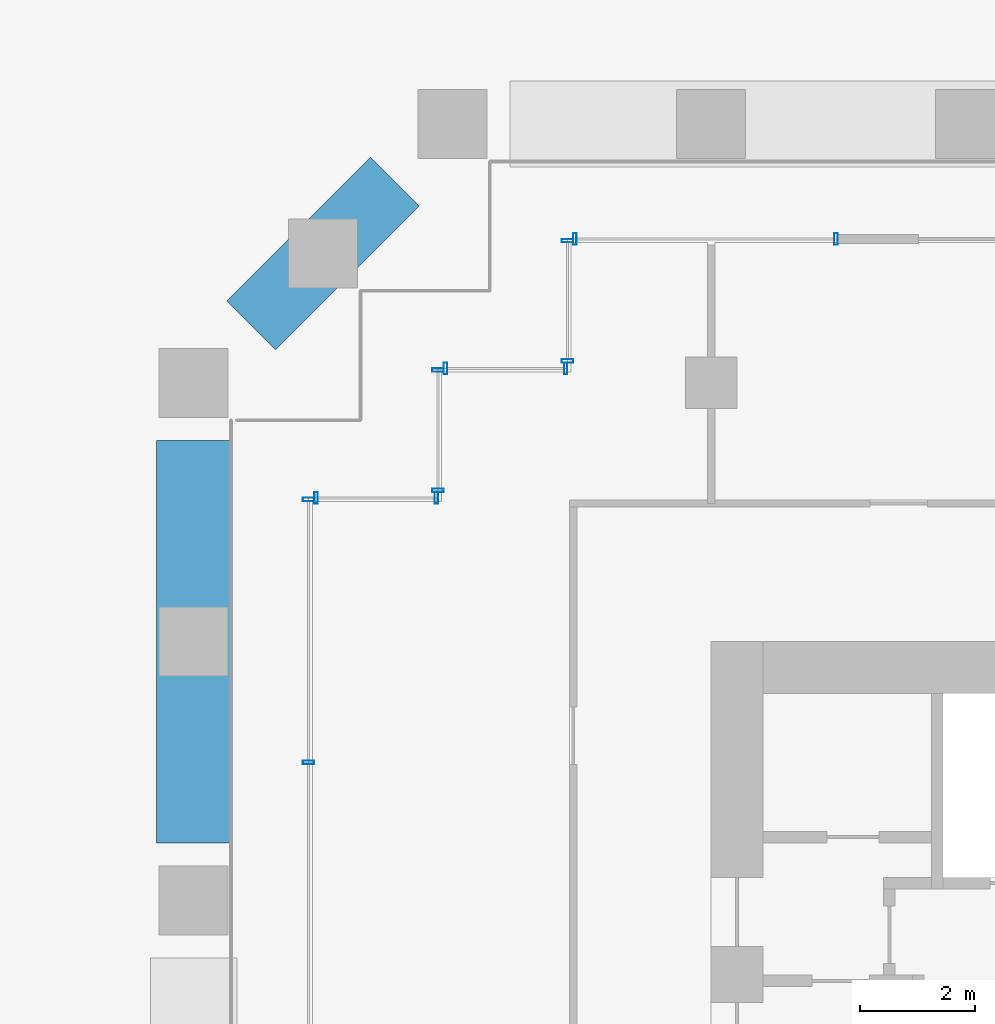
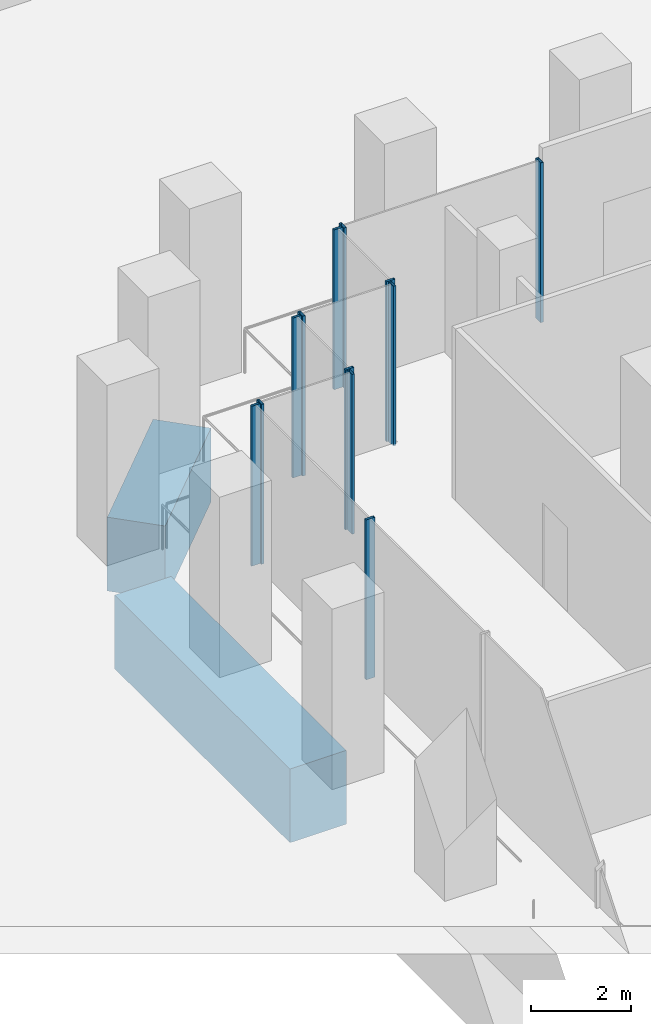
# One storey, part 18 of 32: 12 members, 2 beams, 6 elements without a shape of their own.
"""IFC4 building model written with IfcOpenShell, lengths in metres."""

from ifc_helpers import new_model, si_unit, direction, frame, origin, origin_2d, place, context, subcontext, project, spatial, rectangle, hollow_rectangle, extrude, material, material_profile, profile_set, type_object, element, aggregate, save


model = new_model("IFC4")

# Units and contexts
model_context = context("Model", 3, precision=1e-05, world=origin(), true_north=direction((0.0, 1.0)))
body_context = subcontext(model_context, "Body", "Model", "MODEL_VIEW")
ifc_project = project(units=[si_unit("LENGTHUNIT", "METRE"), si_unit("AREAUNIT", "SQUARE_METRE"), si_unit("VOLUMEUNIT", "CUBIC_METRE"), si_unit("PLANEANGLEUNIT", "RADIAN"), si_unit("MASSUNIT", "GRAM", prefix="KILO")], contexts=[model_context])

# Site, building, storey
site_placement = place(None, origin())
site = spatial("IfcSite", under=ifc_project, at=site_placement, CompositionType="ELEMENT")
building_placement = place(site_placement, origin())
building = spatial("IfcBuilding", under=site, at=building_placement, Name="Altepetl Exchange Towers", CompositionType="ELEMENT")
storey_placement = place(building_placement, frame((0.0, 0.0, 21.0)))
storey = spatial("IfcBuildingStorey", under=building, at=storey_placement, Name="L04", CompositionType="ELEMENT", Elevation=21.0)

# Curtain wall, members
ifc_material_1 = material(Name="Aluminium 6063-T6 glazing", Category="aluminium")
curtain_wall_type = type_object("IfcCurtainWallType", Name="Trading floor glazing system", PredefinedType="NOTDEFINED", material=ifc_material_1)
curtain_wall_1_placement = place(storey_placement, origin())
curtain_wall_1 = element("IfcCurtainWall", 1, at=curtain_wall_1_placement, inside=storey, type_object=curtain_wall_type, Name="CW2 run", PredefinedType="NOTDEFINED")
ifc_material_2 = material(Name="Aluminium 6063-T6", Category="aluminium")
ifc_material_profile_1 = material_profile(ifc_material_2, hollow_rectangle(XDim=0.06005859375, YDim=0.199951171875, WallThickness=0.0029296875, at=origin_2d()), Name="Mullion 60x200 aluminium")
ifc_profile_set_1 = profile_set([ifc_material_profile_1], Name="Aluminium 6063-T6")
member_type = type_object("IfcMemberType", Name="Mullion 60x200 aluminium", PredefinedType="MULLION", material=ifc_profile_set_1)
member_1_placement = place(storey_placement, frame((98.719970703125, 52.0, 0.0), z_axis=(0.0, 0.0, 1.0), x_axis=(-1.0, 0.0, 0.0)))
member_1 = element("IfcMember", 2, at=member_1_placement, type_object=member_type, Name="MU2 mullion", PredefinedType="MULLION", context=body_context, shape_type="SweptSolid", body=[
    extrude(hollow_rectangle(XDim=0.06005859375, YDim=0.199951171875, WallThickness=0.0029296875, at=origin_2d()), origin(), (0.0, 0.0, 1.0), 3.89990234375),
])
member_2_placement = place(storey_placement, frame((96.6298828125, 52.0, 0.0), z_axis=(0.0, 0.0, 1.0), x_axis=(-1.0, 0.0, 0.0)))
member_2 = element("IfcMember", 3, at=member_2_placement, type_object=member_type, Name="MU2 mullion", PredefinedType="MULLION", context=body_context, shape_type="SweptSolid", body=[
    extrude(hollow_rectangle(XDim=0.06005859375, YDim=0.199951171875, WallThickness=0.0029296875, at=origin_2d()), origin(), (0.0, 0.0, 1.0), 3.89990234375),
])
aggregate(curtain_wall_1, [member_1, member_2])

curtain_wall_2_placement = place(storey_placement, origin())
curtain_wall_2 = element("IfcCurtainWall", 4, at=curtain_wall_2_placement, inside=storey, type_object=curtain_wall_type, Name="CW2 run", PredefinedType="NOTDEFINED")
member_3_placement = place(storey_placement, frame((96.5, 51.969970703125, 0.0), z_axis=(0.0, 0.0, 1.0), x_axis=(0.0, -1.0, 0.0)))
member_3 = element("IfcMember", 5, at=member_3_placement, type_object=member_type, Name="MU2 mullion", PredefinedType="MULLION", context=body_context, shape_type="SweptSolid", body=[
    extrude(hollow_rectangle(XDim=0.06005859375, YDim=0.199951171875, WallThickness=0.0029296875, at=origin_2d()), origin(), (0.0, 0.0, 1.0), 3.89990234375),
])
member_4_placement = place(storey_placement, frame((96.5, 47.39990234375, 0.0), z_axis=(0.0, 0.0, 1.0), x_axis=(0.0, -1.0, 0.0)))
member_4 = element("IfcMember", 6, at=member_4_placement, type_object=member_type, Name="MU2 mullion", PredefinedType="MULLION", context=body_context, shape_type="SweptSolid", body=[
    extrude(hollow_rectangle(XDim=0.06005859375, YDim=0.199951171875, WallThickness=0.0029296875, at=origin_2d()), origin(), (0.0, 0.0, 1.0), 3.89990234375),
])
aggregate(curtain_wall_2, [member_3, member_4])

curtain_wall_3_placement = place(storey_placement, origin())
curtain_wall_3 = element("IfcCurtainWall", 7, at=curtain_wall_3_placement, inside=storey, type_object=curtain_wall_type, Name="CW2 run", PredefinedType="NOTDEFINED")
member_5_placement = place(storey_placement, frame((105.669921875, 56.5, 0.0), z_axis=(0.0, 0.0, 1.0), x_axis=(-1.0, 0.0, 0.0)))
member_5 = element("IfcMember", 8, at=member_5_placement, type_object=member_type, Name="MU2 mullion", PredefinedType="MULLION", context=body_context, shape_type="SweptSolid", body=[
    extrude(hollow_rectangle(XDim=0.06005859375, YDim=0.199951171875, WallThickness=0.0029296875, at=origin_2d()), origin(), (0.0, 0.0, 1.0), 3.89990234375),
])
member_6_placement = place(storey_placement, frame((101.1298828125, 56.5, 0.0), z_axis=(0.0, 0.0, 1.0), x_axis=(-1.0, 0.0, 0.0)))
member_6 = element("IfcMember", 9, at=member_6_placement, type_object=member_type, Name="MU2 mullion", PredefinedType="MULLION", context=body_context, shape_type="SweptSolid", body=[
    extrude(hollow_rectangle(XDim=0.06005859375, YDim=0.199951171875, WallThickness=0.0029296875, at=origin_2d()), origin(), (0.0, 0.0, 1.0), 3.89990234375),
])
aggregate(curtain_wall_3, [member_5, member_6])

curtain_wall_4_placement = place(storey_placement, origin())
curtain_wall_4 = element("IfcCurtainWall", 10, at=curtain_wall_4_placement, inside=storey, type_object=curtain_wall_type, Name="CW2 run", PredefinedType="NOTDEFINED")
member_7_placement = place(storey_placement, frame((101.0, 56.469970703125, 0.0), z_axis=(0.0, 0.0, 1.0), x_axis=(0.0, -1.0, 0.0)))
member_7 = element("IfcMember", 11, at=member_7_placement, type_object=member_type, Name="MU2 mullion", PredefinedType="MULLION", context=body_context, shape_type="SweptSolid", body=[
    extrude(hollow_rectangle(XDim=0.06005859375, YDim=0.199951171875, WallThickness=0.0029296875, at=origin_2d()), origin(), (0.0, 0.0, 1.0), 3.89990234375),
])
member_8_placement = place(storey_placement, frame((101.0, 54.3798828125, 0.0), z_axis=(0.0, 0.0, 1.0), x_axis=(0.0, -1.0, 0.0)))
member_8 = element("IfcMember", 12, at=member_8_placement, type_object=member_type, Name="MU2 mullion", PredefinedType="MULLION", context=body_context, shape_type="SweptSolid", body=[
    extrude(hollow_rectangle(XDim=0.06005859375, YDim=0.199951171875, WallThickness=0.0029296875, at=origin_2d()), origin(), (0.0, 0.0, 1.0), 3.89990234375),
])
aggregate(curtain_wall_4, [member_7, member_8])

curtain_wall_5_placement = place(storey_placement, origin())
curtain_wall_5 = element("IfcCurtainWall", 13, at=curtain_wall_5_placement, inside=storey, type_object=curtain_wall_type, Name="CW2 run", PredefinedType="NOTDEFINED")
member_9_placement = place(storey_placement, frame((100.969970703125, 54.25, 0.0), z_axis=(0.0, 0.0, 1.0), x_axis=(-1.0, 0.0, 0.0)))
member_9 = element("IfcMember", 14, at=member_9_placement, type_object=member_type, Name="MU2 mullion", PredefinedType="MULLION", context=body_context, shape_type="SweptSolid", body=[
    extrude(hollow_rectangle(XDim=0.06005859375, YDim=0.199951171875, WallThickness=0.0029296875, at=origin_2d()), origin(), (0.0, 0.0, 1.0), 3.89990234375),
])
member_10_placement = place(storey_placement, frame((98.8798828125, 54.25, 0.0), z_axis=(0.0, 0.0, 1.0), x_axis=(-1.0, 0.0, 0.0)))
member_10 = element("IfcMember", 15, at=member_10_placement, type_object=member_type, Name="MU2 mullion", PredefinedType="MULLION", context=body_context, shape_type="SweptSolid", body=[
    extrude(hollow_rectangle(XDim=0.06005859375, YDim=0.199951171875, WallThickness=0.0029296875, at=origin_2d()), origin(), (0.0, 0.0, 1.0), 3.89990234375),
])
aggregate(curtain_wall_5, [member_9, member_10])

curtain_wall_6_placement = place(storey_placement, origin())
curtain_wall_6 = element("IfcCurtainWall", 16, at=curtain_wall_6_placement, inside=storey, type_object=curtain_wall_type, Name="CW2 run", PredefinedType="NOTDEFINED")
member_11_placement = place(storey_placement, frame((98.75, 54.219970703125, 0.0), z_axis=(0.0, 0.0, 1.0), x_axis=(0.0, -1.0, 0.0)))
member_11 = element("IfcMember", 17, at=member_11_placement, type_object=member_type, Name="MU2 mullion", PredefinedType="MULLION", context=body_context, shape_type="SweptSolid", body=[
    extrude(hollow_rectangle(XDim=0.06005859375, YDim=0.199951171875, WallThickness=0.0029296875, at=origin_2d()), origin(), (0.0, 0.0, 1.0), 3.89990234375),
])
member_12_placement = place(storey_placement, frame((98.75, 52.1298828125, 0.0), z_axis=(0.0, 0.0, 1.0), x_axis=(0.0, -1.0, 0.0)))
member_12 = element("IfcMember", 18, at=member_12_placement, type_object=member_type, Name="MU2 mullion", PredefinedType="MULLION", context=body_context, shape_type="SweptSolid", body=[
    extrude(hollow_rectangle(XDim=0.06005859375, YDim=0.199951171875, WallThickness=0.0029296875, at=origin_2d()), origin(), (0.0, 0.0, 1.0), 3.89990234375),
])
aggregate(curtain_wall_6, [member_11, member_12])

# Beams
ifc_material_3 = material(Name="Concrete C60/75", Category="concrete")
ifc_material_profile_2 = material_profile(ifc_material_3, rectangle(XDim=1.199951171875, YDim=1.800048828125, at=origin_2d()), Name="1200 x 1800")
ifc_profile_set_2 = profile_set([ifc_material_profile_2], Name="Concrete C60/75")
beam_type_1 = type_object("IfcBeamType", Name="Transfer girder 1200x1800", PredefinedType="BEAM", material=ifc_profile_set_2)
beam_1_placement = place(storey_placement, frame((98.0, 57.5, -1.35009765625), z_axis=(-0.707106781187, -0.707106781187, 0.0), x_axis=(0.707106781187, -0.707106781187, 0.0)))
element("IfcBeam", 19, at=beam_1_placement, inside=storey, type_object=beam_type_1, Name="bm:B:L04:tg11", PredefinedType="BEAM", context=body_context, shape_type="SweptSolid", body=[
    extrude(rectangle(XDim=1.199951171875, YDim=1.800048828125, at=origin_2d()), origin(), (0.0, 0.0, 1.0), 3.53564453125),
])
ifc_material_profile_3 = material_profile(ifc_material_3, rectangle(XDim=1.300048828125, YDim=1.800048828125, at=origin_2d()), Name="1300 x 1800")
ifc_profile_set_3 = profile_set([ifc_material_profile_3], Name="Concrete C60/75")
beam_type_2 = type_object("IfcBeamType", Name="Transfer girder 1300x1800", PredefinedType="BEAM", material=ifc_profile_set_3)
beam_2_placement = place(storey_placement, frame((94.5, 46.0, -1.35009765625), z_axis=(0.0, 1.0, 0.0), x_axis=(-1.0, 0.0, 0.0)))
element("IfcBeam", 20, at=beam_2_placement, inside=storey, type_object=beam_type_2, Name="bm:B:L04:tg07", PredefinedType="BEAM", context=body_context, shape_type="SweptSolid", body=[
    extrude(rectangle(XDim=1.300048828125, YDim=1.800048828125, at=origin_2d()), origin(), (0.0, 0.0, 1.0), 7.0),
])

save(model, "model.ifc")
